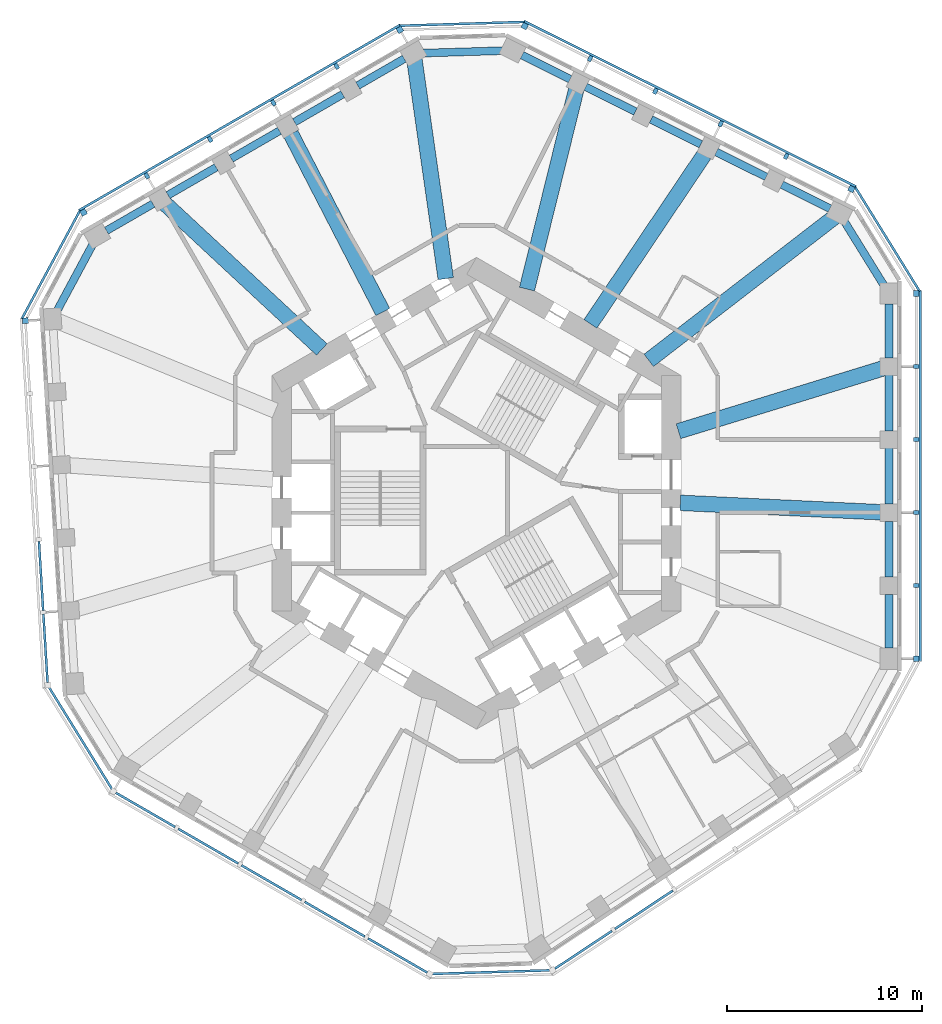
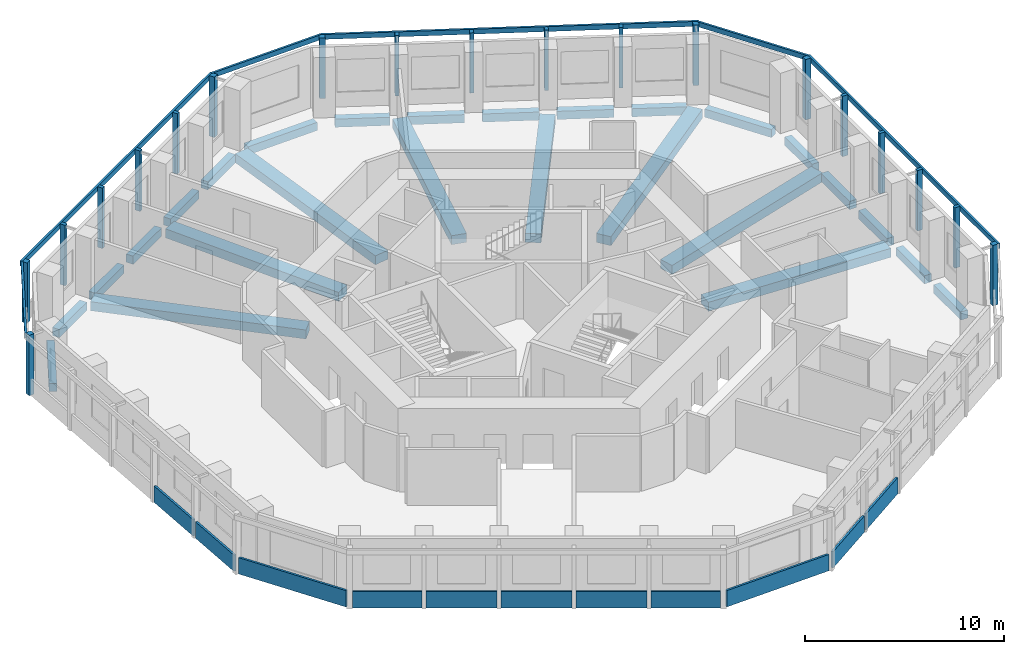
# One storey, part 2 of 10: 26 beams, 25 members, 11 plates, 11 elements without a shape of their own.
"""IFC4 building model written with IfcOpenShell, lengths in metres."""

from ifc_helpers import new_model, si_unit, direction, frame, origin, origin_2d, place, context, subcontext, project, spatial, rectangle, extrude, material, layer, layer_set, material_profile, profile_set, type_object, element, aggregate, save


model = new_model("IFC4")

# Units and contexts
model_context = context("Model", 3, precision=1e-05, world=origin(), true_north=direction((0.0, 1.0)))
body_context = subcontext(model_context, "Body", "Model", "MODEL_VIEW")
ifc_project = project(units=[si_unit("LENGTHUNIT", "METRE"), si_unit("AREAUNIT", "SQUARE_METRE"), si_unit("VOLUMEUNIT", "CUBIC_METRE"), si_unit("PLANEANGLEUNIT", "RADIAN"), si_unit("MASSUNIT", "GRAM", prefix="KILO")], contexts=[model_context])

# Site, building, storey
site_placement = place(None, origin())
site = spatial("IfcSite", under=ifc_project, at=site_placement, CompositionType="ELEMENT")
building_placement = place(site_placement, origin())
building = spatial("IfcBuilding", under=site, at=building_placement, Name="Vanh Sen Convention Tower", CompositionType="ELEMENT")
storey_placement = place(building_placement, frame((0.0, 0.0, 191.0)))
storey = spatial("IfcBuildingStorey", under=building, at=storey_placement, Name="L47", CompositionType="ELEMENT", Elevation=191.0)

# Curtain wall, members
ifc_material_1 = material(Name="Concrete C50/60", Category="concrete")
curtain_wall_type = type_object("IfcCurtainWallType", Name="Outer skin office zone", PredefinedType="NOTDEFINED", material=ifc_material_1)
curtain_wall_1_placement = place(storey_placement, origin())
curtain_wall_1 = element("IfcCurtainWall", 1, at=curtain_wall_1_placement, inside=storey, type_object=curtain_wall_type, Name="OUTER SKIN E L47", PredefinedType="NOTDEFINED")
ifc_material_profile_1 = material_profile(ifc_material_1, rectangle(XDim=0.300048828125, YDim=0.300048828125, at=origin_2d()), Name="Outer skin precast corner fin 300 x 300")
ifc_profile_set_1 = profile_set([ifc_material_profile_1], Name="Concrete C50/60")
member_type_1 = type_object("IfcMemberType", Name="Outer skin precast corner fin 300 x 300", PredefinedType="MULLION", material=ifc_profile_set_1)
member_1_placement = place(storey_placement, frame((22.60009765625, -8.5009765625, 0.0), z_axis=(0.0, 0.0, 1.0), x_axis=(0.0, 1.0, 0.0)))
member_1 = element("IfcMember", 2, at=member_1_placement, type_object=member_type_1, Name="OUTER SKIN CORNER FIN 1 E L47", PredefinedType="MULLION", context=body_context, shape_type="SweptSolid", body=[
    extrude(rectangle(XDim=0.300048828125, YDim=0.300048828125, at=origin_2d()), origin(), (0.0, 0.0, 1.0), 3.699951171875),
])
member_2_placement = place(storey_placement, frame((22.60009765625, 10.26953125, 0.0), z_axis=(0.0, 0.0, 1.0), x_axis=(0.0, 1.0, 0.0)))
member_2 = element("IfcMember", 3, at=member_2_placement, type_object=member_type_1, Name="OUTER SKIN CORNER FIN 6 E L47", PredefinedType="MULLION", context=body_context, shape_type="SweptSolid", body=[
    extrude(rectangle(XDim=0.300048828125, YDim=0.300048828125, at=origin_2d()), origin(), (0.0, 0.0, 1.0), 3.699951171875),
])

curtain_wall_2_placement = place(storey_placement, origin())
curtain_wall_2 = element("IfcCurtainWall", 4, at=curtain_wall_2_placement, inside=storey, type_object=curtain_wall_type, Name="OUTER SKIN NE L47", PredefinedType="NOTDEFINED")
member_3_placement = place(storey_placement, frame((19.274658203125, 15.643310546875, 0.0), z_axis=(0.0, 0.0, 1.0), x_axis=(-0.894934361602, 0.44619781311, 0.0)))
member_3 = element("IfcMember", 5, at=member_3_placement, type_object=member_type_1, Name="OUTER SKIN CORNER FIN 1 NE L47", PredefinedType="MULLION", context=body_context, shape_type="SweptSolid", body=[
    extrude(rectangle(XDim=0.300048828125, YDim=0.300048828125, at=origin_2d()), origin(), (0.0, 0.0, 1.0), 3.699951171875),
])
member_4_placement = place(storey_placement, frame((2.476318359375, 24.0185546875, 0.0), z_axis=(0.0, 0.0, 1.0), x_axis=(-0.894934361602, 0.44619781311, 0.0)))
member_4 = element("IfcMember", 6, at=member_4_placement, type_object=member_type_1, Name="OUTER SKIN CORNER FIN 6 NE L47", PredefinedType="MULLION", context=body_context, shape_type="SweptSolid", body=[
    extrude(rectangle(XDim=0.300048828125, YDim=0.300048828125, at=origin_2d()), origin(), (0.0, 0.0, 1.0), 3.699951171875),
])

curtain_wall_3_placement = place(storey_placement, origin())
curtain_wall_3 = element("IfcCurtainWall", 7, at=curtain_wall_3_placement, inside=storey, type_object=curtain_wall_type, Name="OUTER SKIN NW L47", PredefinedType="NOTDEFINED")
member_5_placement = place(storey_placement, frame((-3.93798828125, 23.822509765625, 0.0), z_axis=(0.0, 0.0, 1.0), x_axis=(-0.866025403784, -0.5, 0.0)))
member_5 = element("IfcMember", 8, at=member_5_placement, type_object=member_type_1, Name="OUTER SKIN CORNER FIN 1 NW L47", PredefinedType="MULLION", context=body_context, shape_type="SweptSolid", body=[
    extrude(rectangle(XDim=0.300048828125, YDim=0.300048828125, at=origin_2d()), origin(), (0.0, 0.0, 1.0), 3.699951171875),
])
member_6_placement = place(storey_placement, frame((-20.193603515625, 14.4375, 0.0), z_axis=(0.0, 0.0, 1.0), x_axis=(-0.866025403784, -0.5, 0.0)))
member_6 = element("IfcMember", 9, at=member_6_placement, type_object=member_type_1, Name="OUTER SKIN CORNER FIN 6 NW L47", PredefinedType="MULLION", context=body_context, shape_type="SweptSolid", body=[
    extrude(rectangle(XDim=0.300048828125, YDim=0.300048828125, at=origin_2d()), origin(), (0.0, 0.0, 1.0), 3.699951171875),
])

# Curtain wall, member
curtain_wall_4_placement = place(storey_placement, origin())
curtain_wall_4 = element("IfcCurtainWall", 10, at=curtain_wall_4_placement, inside=storey, type_object=curtain_wall_type, Name="OUTER SKIN W L47", PredefinedType="NOTDEFINED")
member_7_placement = place(storey_placement, frame((-23.184814453125, 8.87060546875, 0.0), z_axis=(0.0, 0.0, 1.0), x_axis=(0.061048539535, -0.998134798422, 0.0)))
member_7 = element("IfcMember", 11, at=member_7_placement, type_object=member_type_1, Name="OUTER SKIN CORNER FIN 1 W L47", PredefinedType="MULLION", context=body_context, shape_type="SweptSolid", body=[
    extrude(rectangle(XDim=0.300048828125, YDim=0.300048828125, at=origin_2d()), origin(), (0.0, 0.0, 1.0), 3.699951171875),
])

# Member
ifc_material_profile_2 = material_profile(ifc_material_1, rectangle(XDim=0.199951171875, YDim=0.300048828125, at=origin_2d()), Name="Outer skin precast fin 200 x 300")
ifc_profile_set_2 = profile_set([ifc_material_profile_2], Name="Concrete C50/60")
member_type_2 = type_object("IfcMemberType", Name="Outer skin precast fin 200 x 300", PredefinedType="MULLION", material=ifc_profile_set_2)
member_8_placement = place(storey_placement, frame((22.60009765625, -4.746826171875, 0.0), z_axis=(0.0, 0.0, 1.0), x_axis=(0.0, 1.0, 0.0)))
member_8 = element("IfcMember", 12, at=member_8_placement, type_object=member_type_2, Name="OUTER SKIN fin 2 E L47", PredefinedType="MULLION", context=body_context, shape_type="SweptSolid", body=[
    extrude(rectangle(XDim=0.199951171875, YDim=0.300048828125, at=origin_2d()), origin(), (0.0, 0.0, 1.0), 3.699951171875),
])

member_9_placement = place(storey_placement, frame((22.60009765625, -0.992919921875, 0.0), z_axis=(0.0, 0.0, 1.0), x_axis=(0.0, 1.0, 0.0)))
member_9 = element("IfcMember", 13, at=member_9_placement, type_object=member_type_2, Name="OUTER SKIN fin 3 E L47", PredefinedType="MULLION", context=body_context, shape_type="SweptSolid", body=[
    extrude(rectangle(XDim=0.199951171875, YDim=0.300048828125, at=origin_2d()), origin(), (0.0, 0.0, 1.0), 3.699951171875),
])

member_10_placement = place(storey_placement, frame((22.60009765625, 2.76123046875, 0.0), z_axis=(0.0, 0.0, 1.0), x_axis=(0.0, 1.0, 0.0)))
member_10 = element("IfcMember", 14, at=member_10_placement, type_object=member_type_2, Name="OUTER SKIN fin 4 E L47", PredefinedType="MULLION", context=body_context, shape_type="SweptSolid", body=[
    extrude(rectangle(XDim=0.199951171875, YDim=0.300048828125, at=origin_2d()), origin(), (0.0, 0.0, 1.0), 3.699951171875),
])

member_11_placement = place(storey_placement, frame((22.60009765625, 6.515380859375, 0.0), z_axis=(0.0, 0.0, 1.0), x_axis=(0.0, 1.0, 0.0)))
member_11 = element("IfcMember", 15, at=member_11_placement, type_object=member_type_2, Name="OUTER SKIN fin 5 E L47", PredefinedType="MULLION", context=body_context, shape_type="SweptSolid", body=[
    extrude(rectangle(XDim=0.199951171875, YDim=0.300048828125, at=origin_2d()), origin(), (0.0, 0.0, 1.0), 3.699951171875),
])

member_12_placement = place(storey_placement, frame((15.9150390625, 17.318359375, 0.0), z_axis=(0.0, 0.0, 1.0), x_axis=(-0.894934361602, 0.44619781311, 0.0)))
member_12 = element("IfcMember", 16, at=member_12_placement, type_object=member_type_2, Name="OUTER SKIN fin 2 NE L47", PredefinedType="MULLION", context=body_context, shape_type="SweptSolid", body=[
    extrude(rectangle(XDim=0.199951171875, YDim=0.300048828125, at=origin_2d()), origin(), (0.0, 0.0, 1.0), 3.699951171875),
])

member_13_placement = place(storey_placement, frame((12.555419921875, 18.993408203125, 0.0), z_axis=(0.0, 0.0, 1.0), x_axis=(-0.894934361602, 0.44619781311, 0.0)))
member_13 = element("IfcMember", 17, at=member_13_placement, type_object=member_type_2, Name="OUTER SKIN fin 3 NE L47", PredefinedType="MULLION", context=body_context, shape_type="SweptSolid", body=[
    extrude(rectangle(XDim=0.199951171875, YDim=0.300048828125, at=origin_2d()), origin(), (0.0, 0.0, 1.0), 3.699951171875),
])

member_14_placement = place(storey_placement, frame((9.195556640625, 20.66845703125, 0.0), z_axis=(0.0, 0.0, 1.0), x_axis=(-0.894934361602, 0.44619781311, 0.0)))
member_14 = element("IfcMember", 18, at=member_14_placement, type_object=member_type_2, Name="OUTER SKIN fin 4 NE L47", PredefinedType="MULLION", context=body_context, shape_type="SweptSolid", body=[
    extrude(rectangle(XDim=0.199951171875, YDim=0.300048828125, at=origin_2d()), origin(), (0.0, 0.0, 1.0), 3.699951171875),
])

member_15_placement = place(storey_placement, frame((5.8359375, 22.343505859375, 0.0), z_axis=(0.0, 0.0, 1.0), x_axis=(-0.894934361602, 0.44619781311, 0.0)))
member_15 = element("IfcMember", 19, at=member_15_placement, type_object=member_type_2, Name="OUTER SKIN fin 5 NE L47", PredefinedType="MULLION", context=body_context, shape_type="SweptSolid", body=[
    extrude(rectangle(XDim=0.199951171875, YDim=0.300048828125, at=origin_2d()), origin(), (0.0, 0.0, 1.0), 3.699951171875),
])

member_16_placement = place(storey_placement, frame((-7.189208984375, 21.945556640625, 0.0), z_axis=(0.0, 0.0, 1.0), x_axis=(-0.866025403784, -0.5, 0.0)))
member_16 = element("IfcMember", 20, at=member_16_placement, type_object=member_type_2, Name="OUTER SKIN fin 2 NW L47", PredefinedType="MULLION", context=body_context, shape_type="SweptSolid", body=[
    extrude(rectangle(XDim=0.199951171875, YDim=0.300048828125, at=origin_2d()), origin(), (0.0, 0.0, 1.0), 3.699951171875),
])

member_17_placement = place(storey_placement, frame((-10.440185546875, 20.068603515625, 0.0), z_axis=(0.0, 0.0, 1.0), x_axis=(-0.866025403784, -0.5, 0.0)))
member_17 = element("IfcMember", 21, at=member_17_placement, type_object=member_type_2, Name="OUTER SKIN fin 3 NW L47", PredefinedType="MULLION", context=body_context, shape_type="SweptSolid", body=[
    extrude(rectangle(XDim=0.199951171875, YDim=0.300048828125, at=origin_2d()), origin(), (0.0, 0.0, 1.0), 3.699951171875),
])

member_18_placement = place(storey_placement, frame((-13.69140625, 18.19140625, 0.0), z_axis=(0.0, 0.0, 1.0), x_axis=(-0.866025403784, -0.5, 0.0)))
member_18 = element("IfcMember", 22, at=member_18_placement, type_object=member_type_2, Name="OUTER SKIN fin 4 NW L47", PredefinedType="MULLION", context=body_context, shape_type="SweptSolid", body=[
    extrude(rectangle(XDim=0.199951171875, YDim=0.300048828125, at=origin_2d()), origin(), (0.0, 0.0, 1.0), 3.699951171875),
])

member_19_placement = place(storey_placement, frame((-16.9423828125, 16.314453125, 0.0), z_axis=(0.0, 0.0, 1.0), x_axis=(-0.866025403784, -0.5, 0.0)))
member_19 = element("IfcMember", 23, at=member_19_placement, type_object=member_type_2, Name="OUTER SKIN fin 5 NW L47", PredefinedType="MULLION", context=body_context, shape_type="SweptSolid", body=[
    extrude(rectangle(XDim=0.199951171875, YDim=0.300048828125, at=origin_2d()), origin(), (0.0, 0.0, 1.0), 3.699951171875),
])

ifc_material_profile_3 = material_profile(ifc_material_1, rectangle(XDim=0.1201171875, YDim=0.300048828125, at=origin_2d()), Name="Outer skin precast spandrel band 300 x 120")
ifc_profile_set_3 = profile_set([ifc_material_profile_3], Name="Concrete C50/60")
member_type_3 = type_object("IfcMemberType", Name="Outer skin precast spandrel band 300 x 120", PredefinedType="USERDEFINED", material=ifc_profile_set_3)
member_20_placement = place(storey_placement, frame((22.81005859375, -8.65087890625, 3.550048828125), z_axis=(0.0, 1.0, 0.0), x_axis=(-1.0, 0.0, 0.0)))
member_20 = element("IfcMember", 24, at=member_20_placement, type_object=member_type_3, Name="OUTER SKIN spandrel band E L47", ObjectType="TRANSOM", PredefinedType="USERDEFINED", context=body_context, shape_type="SweptSolid", body=[
    extrude(rectangle(XDim=0.1201171875, YDim=0.300048828125, at=origin_2d()), origin(), (0.0, 0.0, 1.0), 19.0703125),
])

aggregate(curtain_wall_1, [member_1, member_8, member_9, member_10, member_11, member_2, member_20])

# Curtain wall, member
curtain_wall_5_placement = place(storey_placement, origin())
curtain_wall_5 = element("IfcCurtainWall", 25, at=curtain_wall_5_placement, inside=storey, type_object=curtain_wall_type, Name="OUTER SKIN CH1 L47", PredefinedType="NOTDEFINED")
member_21_placement = place(storey_placement, frame((22.778564453125, 10.3798828125, 3.550048828125), z_axis=(-0.526173726926, 0.850377098171, 0.0), x_axis=(-0.850377098171, -0.526173726926, 0.0)))
member_21 = element("IfcMember", 26, at=member_21_placement, type_object=member_type_3, Name="OUTER SKIN spandrel band CH1 L47", ObjectType="TRANSOM", PredefinedType="USERDEFINED", context=body_context, shape_type="SweptSolid", body=[
    extrude(rectangle(XDim=0.1201171875, YDim=0.300048828125, at=origin_2d()), origin(), (0.0, 0.0, 1.0), 6.319580078125),
])
aggregate(curtain_wall_5, [member_21])

# Member
member_22_placement = place(storey_placement, frame((19.502685546875, 15.764404296875, 3.550048828125), z_axis=(-0.894941234474, 0.446184027996, 0.0), x_axis=(-0.446184027996, -0.894941234474, 0.0)))
member_22 = element("IfcMember", 27, at=member_22_placement, type_object=member_type_3, Name="OUTER SKIN spandrel band NE L47", ObjectType="TRANSOM", PredefinedType="USERDEFINED", context=body_context, shape_type="SweptSolid", body=[
    extrude(rectangle(XDim=0.1201171875, YDim=0.300048828125, at=origin_2d()), origin(), (0.0, 0.0, 1.0), 19.07080078125),
])

aggregate(curtain_wall_2, [member_3, member_12, member_13, member_14, member_15, member_4, member_22])

# Curtain wall, member
curtain_wall_6_placement = place(storey_placement, origin())
curtain_wall_6 = element("IfcCurtainWall", 28, at=curtain_wall_6_placement, inside=storey, type_object=curtain_wall_type, Name="OUTER SKIN CH2 L47", PredefinedType="NOTDEFINED")
member_23_placement = place(storey_placement, frame((2.4697265625, 24.228515625, 3.550048828125), z_axis=(-0.999533221695, -0.030550592913, 0.0), x_axis=(0.030550592913, -0.999533221695, 0.0)))
member_23 = element("IfcMember", 29, at=member_23_placement, type_object=member_type_3, Name="OUTER SKIN spandrel band CH2 L47", ObjectType="TRANSOM", PredefinedType="USERDEFINED", context=body_context, shape_type="SweptSolid", body=[
    extrude(rectangle(XDim=0.1201171875, YDim=0.300048828125, at=origin_2d()), origin(), (0.0, 0.0, 1.0), 6.4169921875),
])
aggregate(curtain_wall_6, [member_23])

# Member
member_24_placement = place(storey_placement, frame((-3.9130859375, 24.07958984375, 3.550048828125), z_axis=(-0.866023136587, -0.500003926881, 0.0), x_axis=(0.500003926881, -0.866023136587, 0.0)))
member_24 = element("IfcMember", 30, at=member_24_placement, type_object=member_type_3, Name="OUTER SKIN spandrel band NW L47", ObjectType="TRANSOM", PredefinedType="USERDEFINED", context=body_context, shape_type="SweptSolid", body=[
    extrude(rectangle(XDim=0.1201171875, YDim=0.300048828125, at=origin_2d()), origin(), (0.0, 0.0, 1.0), 19.070556640625),
])

aggregate(curtain_wall_3, [member_5, member_16, member_17, member_18, member_19, member_6, member_24])

# Curtain wall, member
curtain_wall_7_placement = place(storey_placement, origin())
curtain_wall_7 = element("IfcCurtainWall", 31, at=curtain_wall_7_placement, inside=storey, type_object=curtain_wall_type, Name="OUTER SKIN CH3 L47", PredefinedType="NOTDEFINED")
member_25_placement = place(storey_placement, frame((-20.378662109375, 14.536865234375, 3.550048828125), z_axis=(-0.47333707755, -0.880881383057, 0.0), x_axis=(0.880881383057, -0.47333707755, 0.0)))
member_25 = element("IfcMember", 32, at=member_25_placement, type_object=member_type_3, Name="OUTER SKIN spandrel band CH3 L47", ObjectType="TRANSOM", PredefinedType="USERDEFINED", context=body_context, shape_type="SweptSolid", body=[
    extrude(rectangle(XDim=0.1201171875, YDim=0.300048828125, at=origin_2d()), origin(), (0.0, 0.0, 1.0), 6.3193359375),
])
aggregate(curtain_wall_7, [member_25])

# Beams
ifc_material_2 = material(Name="Concrete C50/60", Category="concrete")
ifc_material_profile_4 = material_profile(ifc_material_2, rectangle(XDim=0.800048828125, YDim=0.550048828125, at=origin_2d()), Name="RC 800X550")
ifc_profile_set_4 = profile_set([ifc_material_profile_4], Name="Concrete C50/60")
beam_type_1 = type_object("IfcBeamType", Name="Radial floor beam 800 x 550", PredefinedType="BEAM", material=ifc_profile_set_4)
beam_1_placement = place(storey_placement, frame((20.773681640625, -0.972900390625, -0.554931640625), z_axis=(-0.998904385593, 0.046797739721, 0.0), x_axis=(-0.046797739721, -0.998904385593, 0.0)))
element("IfcBeam", 33, at=beam_1_placement, inside=storey, type_object=beam_type_1, Name="Radial beam 02 L47", PredefinedType="BEAM", context=body_context, shape_type="SweptSolid", body=[
    extrude(rectangle(XDim=0.800048828125, YDim=0.550048828125, at=origin_2d()), origin(), (0.0, 0.0, 1.0), 10.30859375),
])
beam_2_placement = place(storey_placement, frame((20.984619140625, 6.44921875, -0.554931640625), z_axis=(-0.955877901986, -0.293764253264, 0.0), x_axis=(0.293764253264, -0.955877901986, 0.0)))
element("IfcBeam", 34, at=beam_2_placement, inside=storey, type_object=beam_type_1, Name="Radial beam 03 L47", PredefinedType="BEAM", context=body_context, shape_type="SweptSolid", body=[
    extrude(rectangle(XDim=0.800048828125, YDim=0.550048828125, at=origin_2d()), origin(), (0.0, 0.0, 1.0), 11.096435546875),
])
beam_3_placement = place(storey_placement, frame((18.41162109375, 14.206298828125, -0.554931640625), z_axis=(-0.791722449679, -0.610880972591, 0.0), x_axis=(0.610880972591, -0.791722449679, 0.0)))
element("IfcBeam", 35, at=beam_3_placement, inside=storey, type_object=beam_type_1, Name="Radial beam 04 L47", PredefinedType="BEAM", context=body_context, shape_type="SweptSolid", body=[
    extrude(rectangle(XDim=0.800048828125, YDim=0.550048828125, at=origin_2d()), origin(), (0.0, 0.0, 1.0), 12.072021484375),
])
beam_4_placement = place(storey_placement, frame((11.709228515625, 17.411376953125, -0.554931640625), z_axis=(-0.55804705103, -0.829809308719, 0.0), x_axis=(0.829809308719, -0.55804705103, 0.0)))
element("IfcBeam", 36, at=beam_4_placement, inside=storey, type_object=beam_type_1, Name="Radial beam 05 L47", PredefinedType="BEAM", context=body_context, shape_type="SweptSolid", body=[
    extrude(rectangle(XDim=0.800048828125, YDim=0.550048828125, at=origin_2d()), origin(), (0.0, 0.0, 1.0), 10.490234375),
])
beam_5_placement = place(storey_placement, frame((5.14697265625, 20.83056640625, -0.554931640625), z_axis=(-0.239880379488, -0.970802453405, 0.0), x_axis=(0.970802453405, -0.239880379488, 0.0)))
element("IfcBeam", 37, at=beam_5_placement, inside=storey, type_object=beam_type_1, Name="Radial beam 06 L47", PredefinedType="BEAM", context=body_context, shape_type="SweptSolid", body=[
    extrude(rectangle(XDim=0.800048828125, YDim=0.550048828125, at=origin_2d()), origin(), (0.0, 0.0, 1.0), 10.647705078125),
])
beam_6_placement = place(storey_placement, frame((-3.192626953125, 22.2939453125, -0.554931640625), z_axis=(0.141775948022, -0.989898772887, 0.0), x_axis=(0.989898772887, 0.141775948022, 0.0)))
element("IfcBeam", 38, at=beam_6_placement, inside=storey, type_object=beam_type_1, Name="Radial beam 07 L47", PredefinedType="BEAM", context=body_context, shape_type="SweptSolid", body=[
    extrude(rectangle(XDim=0.800048828125, YDim=0.550048828125, at=origin_2d()), origin(), (0.0, 0.0, 1.0), 11.3740234375),
])
beam_7_placement = place(storey_placement, frame((-9.544189453125, 18.476806640625, -0.554931640625), z_axis=(0.458940914306, -0.888466790137, 0.0), x_axis=(0.888466790137, 0.458940914306, 0.0)))
element("IfcBeam", 39, at=beam_7_placement, inside=storey, type_object=beam_type_1, Name="Radial beam 08 L47", PredefinedType="BEAM", context=body_context, shape_type="SweptSolid", body=[
    extrude(rectangle(XDim=0.800048828125, YDim=0.550048828125, at=origin_2d()), origin(), (0.0, 0.0, 1.0), 10.308349609375),
])
beam_8_placement = place(storey_placement, frame((-16.077392578125, 14.948486328125, -0.554931640625), z_axis=(0.732348237662, -0.680930289232, 0.0), x_axis=(0.680930289232, 0.732348237662, 0.0)))
element("IfcBeam", 40, at=beam_8_placement, inside=storey, type_object=beam_type_1, Name="Radial beam 09 L47", PredefinedType="BEAM", context=body_context, shape_type="SweptSolid", body=[
    extrude(rectangle(XDim=0.800048828125, YDim=0.550048828125, at=origin_2d()), origin(), (0.0, 0.0, 1.0), 11.096435546875),
])
ifc_material_profile_5 = material_profile(ifc_material_2, rectangle(XDim=0.39990234375, YDim=0.5, at=origin_2d()), Name="RC 400X500")
ifc_profile_set_5 = profile_set([ifc_material_profile_5], Name="Concrete C50/60")
beam_type_2 = type_object("IfcBeamType", Name="Spandrel beam 400 x 500", PredefinedType="SPANDREL", material=ifc_profile_set_5)
beam_9_placement = place(storey_placement, frame((21.199951171875, -7.9560546875, -0.530029296875), z_axis=(0.0, 1.0, 0.0), x_axis=(-1.0, 0.0, 0.0)))
element("IfcBeam", 41, at=beam_9_placement, inside=storey, type_object=beam_type_2, Name="Spandrel beam 01 L47", PredefinedType="SPANDREL", context=body_context, shape_type="SweptSolid", body=[
    extrude(rectangle(XDim=0.39990234375, YDim=0.5, at=origin_2d()), origin(), (0.0, 0.0, 1.0), 2.76416015625),
])
for number, where, z_axis, x_axis, name in (
    (42, (21.199951171875, -4.302001953125, -0.530029296875), (0.0, 1.0, 0.0), (-1.0, 0.0, 0.0), "Spandrel beam 02 L47"),
    (43, (21.199951171875, -0.5478515625, -0.530029296875), (0.0, 1.0, 0.0), (-1.0, 0.0, 0.0), "Spandrel beam 03 L47"),
):
    element("IfcBeam", number, at=place(storey_placement, frame(where, z_axis=z_axis, x_axis=x_axis)), inside=storey, type_object=beam_type_2, Name=name, PredefinedType="SPANDREL", context=body_context, shape_type="SweptSolid", body=[
        extrude(rectangle(XDim=0.39990234375, YDim=0.5, at=origin_2d()), origin(), (0.0, 0.0, 1.0), 2.8642578125),
    ])
beam_10_placement = place(storey_placement, frame((21.199951171875, 3.206298828125, -0.530029296875), z_axis=(0.0, 1.0, 0.0), x_axis=(-1.0, 0.0, 0.0)))
element("IfcBeam", 44, at=beam_10_placement, inside=storey, type_object=beam_type_2, Name="Spandrel beam 04 L47", PredefinedType="SPANDREL", context=body_context, shape_type="SweptSolid", body=[
    extrude(rectangle(XDim=0.39990234375, YDim=0.5, at=origin_2d()), origin(), (0.0, 0.0, 1.0), 2.864013671875),
])
beam_11_placement = place(storey_placement, frame((21.199951171875, 6.96044921875, -0.530029296875), z_axis=(0.0, 1.0, 0.0), x_axis=(-1.0, 0.0, 0.0)))
element("IfcBeam", 45, at=beam_11_placement, inside=storey, type_object=beam_type_2, Name="Spandrel beam 05 L47", PredefinedType="SPANDREL", context=body_context, shape_type="SweptSolid", body=[
    extrude(rectangle(XDim=0.39990234375, YDim=0.5, at=origin_2d()), origin(), (0.0, 0.0, 1.0), 2.76416015625),
])
beam_12_placement = place(storey_placement, frame((20.927490234375, 10.7099609375, -0.530029296875), z_axis=(-0.526197985388, 0.850362087686, 0.0), x_axis=(-0.850362087686, -0.526197985388, 0.0)))
element("IfcBeam", 46, at=beam_12_placement, inside=storey, type_object=beam_type_2, Name="Spandrel beam 06 L47", PredefinedType="SPANDREL", context=body_context, shape_type="SweptSolid", body=[
    extrude(rectangle(XDim=0.39990234375, YDim=0.5, at=origin_2d()), origin(), (0.0, 0.0, 1.0), 3.81005859375),
])
beam_13_placement = place(storey_placement, frame((18.162353515625, 14.633544921875, -0.530029296875), z_axis=(-0.894938855842, 0.446188798945, 0.0), x_axis=(-0.446188798945, -0.894938855842, 0.0)))
element("IfcBeam", 47, at=beam_13_placement, inside=storey, type_object=beam_type_2, Name="Spandrel beam 07 L47", PredefinedType="SPANDREL", context=body_context, shape_type="SweptSolid", body=[
    extrude(rectangle(XDim=0.39990234375, YDim=0.5, at=origin_2d()), origin(), (0.0, 0.0, 1.0), 2.764404296875),
])
for number, where, z_axis, x_axis, name in (
    (48, (14.89208984375, 16.263916015625, -0.530029296875), (-0.894921028884, 0.446224553406, 0.0), (-0.446224553406, -0.894921028884, 0.0), "Spandrel beam 08 L47"),
    (49, (11.532470703125, 17.939208984375, -0.530029296875), (-0.894972032358, 0.446122249273, 0.0), (-0.446122249273, -0.894972032358, 0.0), "Spandrel beam 09 L47"),
):
    element("IfcBeam", number, at=place(storey_placement, frame(where, z_axis=z_axis, x_axis=x_axis)), inside=storey, type_object=beam_type_2, Name=name, PredefinedType="SPANDREL", context=body_context, shape_type="SweptSolid", body=[
        extrude(rectangle(XDim=0.39990234375, YDim=0.5, at=origin_2d()), origin(), (0.0, 0.0, 1.0), 2.8642578125),
    ])
beam_14_placement = place(storey_placement, frame((8.172607421875, 19.6142578125, -0.530029296875), z_axis=(-0.89495506643, 0.446156283236, 0.0), x_axis=(-0.446156283236, -0.89495506643, 0.0)))
element("IfcBeam", 50, at=beam_14_placement, inside=storey, type_object=beam_type_2, Name="Spandrel beam 10 L47", PredefinedType="SPANDREL", context=body_context, shape_type="SweptSolid", body=[
    extrude(rectangle(XDim=0.39990234375, YDim=0.5, at=origin_2d()), origin(), (0.0, 0.0, 1.0), 2.864013671875),
])
beam_15_placement = place(storey_placement, frame((4.81298828125, 21.289306640625, -0.530029296875), z_axis=(-0.894974121341, 0.446118058511, 0.0), x_axis=(-0.446118058511, -0.894974121341, 0.0)))
element("IfcBeam", 51, at=beam_15_placement, inside=storey, type_object=beam_type_2, Name="Spandrel beam 11 L47", PredefinedType="SPANDREL", context=body_context, shape_type="SweptSolid", body=[
    extrude(rectangle(XDim=0.39990234375, YDim=0.5, at=origin_2d()), origin(), (0.0, 0.0, 1.0), 2.76416015625),
])
beam_16_placement = place(storey_placement, frame((1.33984375, 22.75, -0.530029296875), z_axis=(-0.999533327508, -0.030547130814, 0.0), x_axis=(0.030547130814, -0.999533327508, 0.0)))
element("IfcBeam", 52, at=beam_16_placement, inside=storey, type_object=beam_type_2, Name="Spandrel beam 12 L47", PredefinedType="SPANDREL", context=body_context, shape_type="SweptSolid", body=[
    extrude(rectangle(XDim=0.39990234375, YDim=0.5, at=origin_2d()), origin(), (0.0, 0.0, 1.0), 4.068115234375),
])
beam_17_placement = place(storey_placement, frame((-3.7099609375, 22.337646484375, -0.530029296875), z_axis=(-0.866060565847, -0.499939092575, 0.0), x_axis=(0.499939092575, -0.866060565847, 0.0)))
element("IfcBeam", 53, at=beam_17_placement, inside=storey, type_object=beam_type_2, Name="Spandrel beam 13 L47", PredefinedType="SPANDREL", context=body_context, shape_type="SweptSolid", body=[
    extrude(rectangle(XDim=0.39990234375, YDim=0.5, at=origin_2d()), origin(), (0.0, 0.0, 1.0), 2.763916015625),
])
for number, where, z_axis, x_axis, name in (
    (54, (-6.87451171875, 20.5107421875, -0.530029296875), (-0.865999615357, -0.500044664207, 0.0), (0.500044664207, -0.865999615357, 0.0), "Spandrel beam 14 L47"),
    (55, (-10.12548828125, 18.633544921875, -0.530029296875), (-0.8660578368, -0.499943820161, 0.0), (0.499943820161, -0.8660578368, 0.0), "Spandrel beam 15 L47"),
):
    element("IfcBeam", number, at=place(storey_placement, frame(where, z_axis=z_axis, x_axis=x_axis)), inside=storey, type_object=beam_type_2, Name=name, PredefinedType="SPANDREL", context=body_context, shape_type="SweptSolid", body=[
        extrude(rectangle(XDim=0.39990234375, YDim=0.5, at=origin_2d()), origin(), (0.0, 0.0, 1.0), 2.864013671875),
    ])
beam_18_placement = place(storey_placement, frame((-13.376708984375, 16.756591796875, -0.530029296875), z_axis=(-0.866020927947, -0.500007752297, 0.0), x_axis=(0.500007752297, -0.866020927947, 0.0)))
element("IfcBeam", 56, at=beam_18_placement, inside=storey, type_object=beam_type_2, Name="Spandrel beam 16 L47", PredefinedType="SPANDREL", context=body_context, shape_type="SweptSolid", body=[
    extrude(rectangle(XDim=0.39990234375, YDim=0.5, at=origin_2d()), origin(), (0.0, 0.0, 1.0), 2.8642578125),
])
beam_19_placement = place(storey_placement, frame((-16.6279296875, 14.87939453125, -0.530029296875), z_axis=(-0.866060565847, -0.499939092575, 0.0), x_axis=(0.499939092575, -0.866060565847, 0.0)))
element("IfcBeam", 57, at=beam_19_placement, inside=storey, type_object=beam_type_2, Name="Spandrel beam 17 L47", PredefinedType="SPANDREL", context=body_context, shape_type="SweptSolid", body=[
    extrude(rectangle(XDim=0.39990234375, YDim=0.5, at=origin_2d()), origin(), (0.0, 0.0, 1.0), 2.763916015625),
])
beam_20_placement = place(storey_placement, frame((-19.739013671875, 12.768798828125, -0.530029296875), z_axis=(-0.473293335868, -0.880904886025, 0.0), x_axis=(0.880904886025, -0.473293335868, 0.0)))
element("IfcBeam", 58, at=beam_20_placement, inside=storey, type_object=beam_type_2, Name="Spandrel beam 18 L47", PredefinedType="SPANDREL", context=body_context, shape_type="SweptSolid", body=[
    extrude(rectangle(XDim=0.39990234375, YDim=0.5, at=origin_2d()), origin(), (0.0, 0.0, 1.0), 3.81005859375),
])

# Plate
ifc_layer = layer(ifc_material_1, 0.1201171875)
ifc_layer_set = layer_set([ifc_layer], Name="Concrete C50/60")
plate_type = type_object("IfcPlateType", Name="Outer skin precast screen panel 120", PredefinedType="CURTAIN_PANEL", material=ifc_layer_set)
plate_1_placement = place(storey_placement, frame((-22.382568359375, -4.244140625, 0.0), z_axis=(0.0, 0.0, 1.0), x_axis=(0.061025892559, -0.998136183312, 0.0)))
plate_1 = element("IfcPlate", 59, at=plate_1_placement, type_object=plate_type, Name="OUTER SKIN screen panel W-4", PredefinedType="CURTAIN_PANEL", context=body_context, shape_type="SweptSolid", body=[
    extrude(rectangle(XDim=3.55419921875, YDim=0.1201171875, at=origin_2d()), origin(), (0.0, 0.0, 1.0), 1.0),
])

plate_2_placement = place(storey_placement, frame((-22.155029296875, -7.96630859375, 0.0), z_axis=(0.0, 0.0, 1.0), x_axis=(0.061053765756, -0.998134478759, 0.0)))
plate_2 = element("IfcPlate", 60, at=plate_2_placement, type_object=plate_type, Name="OUTER SKIN screen panel W-5", PredefinedType="CURTAIN_PANEL", context=body_context, shape_type="SweptSolid", body=[
    extrude(rectangle(XDim=3.504150390625, YDim=0.1201171875, at=origin_2d()), origin(), (0.0, 0.0, 1.0), 1.0),
])

aggregate(curtain_wall_4, [member_7, plate_1, plate_2])

# Curtain wall, plate
curtain_wall_8_placement = place(storey_placement, origin())
curtain_wall_8 = element("IfcCurtainWall", 61, at=curtain_wall_8_placement, inside=storey, type_object=curtain_wall_type, Name="OUTER SKIN CH4 L47", PredefinedType="NOTDEFINED")
plate_3_placement = place(storey_placement, frame((-20.3505859375, -12.59326171875, 0.0), z_axis=(0.0, 0.0, 1.0), x_axis=(0.526218376078, -0.850349469734, 0.0)))
plate_3 = element("IfcPlate", 62, at=plate_3_placement, type_object=plate_type, Name="OUTER SKIN screen panel CH4-1", PredefinedType="CURTAIN_PANEL", context=body_context, shape_type="SweptSolid", body=[
    extrude(rectangle(XDim=6.1171875, YDim=0.1201171875, at=origin_2d()), origin(), (0.0, 0.0, 1.0), 1.0),
])
aggregate(curtain_wall_8, [plate_3])

# Curtain wall, plates
curtain_wall_9_placement = place(storey_placement, origin())
curtain_wall_9 = element("IfcCurtainWall", 63, at=curtain_wall_9_placement, inside=storey, type_object=curtain_wall_type, Name="OUTER SKIN SW L47", PredefinedType="NOTDEFINED")
plate_4_placement = place(storey_placement, frame((-17.014892578125, -16.272705078125, 0.0), z_axis=(0.0, 0.0, 1.0), x_axis=(0.86602365845, -0.500003022996, 0.0)))
plate_4 = element("IfcPlate", 64, at=plate_4_placement, type_object=plate_type, Name="OUTER SKIN screen panel SW-1", PredefinedType="CURTAIN_PANEL", context=body_context, shape_type="SweptSolid", body=[
    extrude(rectangle(XDim=3.504150390625, YDim=0.1201171875, at=origin_2d()), origin(), (0.0, 0.0, 1.0), 1.0),
])
plate_5_placement = place(storey_placement, frame((-13.785400390625, -18.13720703125, 0.0), z_axis=(0.0, 0.0, 1.0), x_axis=(0.866028021766, -0.499995465495, 0.0)))
plate_5 = element("IfcPlate", 65, at=plate_5_placement, type_object=plate_type, Name="OUTER SKIN screen panel SW-2", PredefinedType="CURTAIN_PANEL", context=body_context, shape_type="SweptSolid", body=[
    extrude(rectangle(XDim=3.553955078125, YDim=0.1201171875, at=origin_2d()), origin(), (0.0, 0.0, 1.0), 1.0),
])
plate_6_placement = place(storey_placement, frame((-10.5341796875, -20.014404296875, 0.0), z_axis=(0.0, 0.0, 1.0), x_axis=(0.86602365845, -0.500003022996, 0.0)))
plate_6 = element("IfcPlate", 66, at=plate_6_placement, type_object=plate_type, Name="OUTER SKIN screen panel SW-3", PredefinedType="CURTAIN_PANEL", context=body_context, shape_type="SweptSolid", body=[
    extrude(rectangle(XDim=3.55419921875, YDim=0.1201171875, at=origin_2d()), origin(), (0.0, 0.0, 1.0), 1.0),
])
plate_7_placement = place(storey_placement, frame((-7.283203125, -21.891357421875, 0.0), z_axis=(0.0, 0.0, 1.0), x_axis=(0.866016677006, -0.500015114919, 0.0)))
plate_7 = element("IfcPlate", 67, at=plate_7_placement, type_object=plate_type, Name="OUTER SKIN screen panel SW-4", PredefinedType="CURTAIN_PANEL", context=body_context, shape_type="SweptSolid", body=[
    extrude(rectangle(XDim=3.55419921875, YDim=0.1201171875, at=origin_2d()), origin(), (0.0, 0.0, 1.0), 1.0),
])
plate_8_placement = place(storey_placement, frame((-4.0537109375, -23.755859375, 0.0), z_axis=(0.0, 0.0, 1.0), x_axis=(0.866035002936, -0.499983373414, 0.0)))
plate_8 = element("IfcPlate", 68, at=plate_8_placement, type_object=plate_type, Name="OUTER SKIN screen panel SW-5", PredefinedType="CURTAIN_PANEL", context=body_context, shape_type="SweptSolid", body=[
    extrude(rectangle(XDim=3.504150390625, YDim=0.1201171875, at=origin_2d()), origin(), (0.0, 0.0, 1.0), 1.0),
])
aggregate(curtain_wall_9, [plate_4, plate_5, plate_6, plate_7, plate_8])

# Curtain wall, plate
curtain_wall_10_placement = place(storey_placement, origin())
curtain_wall_10 = element("IfcCurtainWall", 69, at=curtain_wall_10_placement, inside=storey, type_object=curtain_wall_type, Name="OUTER SKIN CH5 L47", PredefinedType="NOTDEFINED")
plate_9_placement = place(storey_placement, frame((0.751953125, -24.6103515625, 0.0), z_axis=(0.0, 0.0, 1.0), x_axis=(0.999533537535, 0.030540257725, 0.0)))
plate_9 = element("IfcPlate", 70, at=plate_9_placement, type_object=plate_type, Name="OUTER SKIN screen panel CH5-1", PredefinedType="CURTAIN_PANEL", context=body_context, shape_type="SweptSolid", body=[
    extrude(rectangle(XDim=6.019287109375, YDim=0.1201171875, at=origin_2d()), origin(), (0.0, 0.0, 1.0), 1.0),
])
aggregate(curtain_wall_10, [plate_9])

# Curtain wall, plates
curtain_wall_11_placement = place(storey_placement, origin())
curtain_wall_11 = element("IfcCurtainWall", 71, at=curtain_wall_11_placement, inside=storey, type_object=curtain_wall_type, Name="OUTER SKIN SE L47", PredefinedType="NOTDEFINED")
plate_10_placement = place(storey_placement, frame((5.49609375, -23.464111328125, 0.0), z_axis=(0.0, 0.0, 1.0), x_axis=(0.833889675294, 0.551931163677, 0.0)))
plate_10 = element("IfcPlate", 72, at=plate_10_placement, type_object=plate_type, Name="OUTER SKIN screen panel SE-1", PredefinedType="CURTAIN_PANEL", context=body_context, shape_type="SweptSolid", body=[
    extrude(rectangle(XDim=3.504150390625, YDim=0.1201171875, at=origin_2d()), origin(), (0.0, 0.0, 1.0), 1.0),
])
plate_11_placement = place(storey_placement, frame((8.60595703125, -21.406005859375, 0.0), z_axis=(0.0, 0.0, 1.0), x_axis=(0.833889675294, 0.551931163677, 0.0)))
plate_11 = element("IfcPlate", 73, at=plate_11_placement, type_object=plate_type, Name="OUTER SKIN screen panel SE-2", PredefinedType="CURTAIN_PANEL", context=body_context, shape_type="SweptSolid", body=[
    extrude(rectangle(XDim=3.55419921875, YDim=0.1201171875, at=origin_2d()), origin(), (0.0, 0.0, 1.0), 1.0),
])
aggregate(curtain_wall_11, [plate_10, plate_11])

save(model, "model.ifc")
